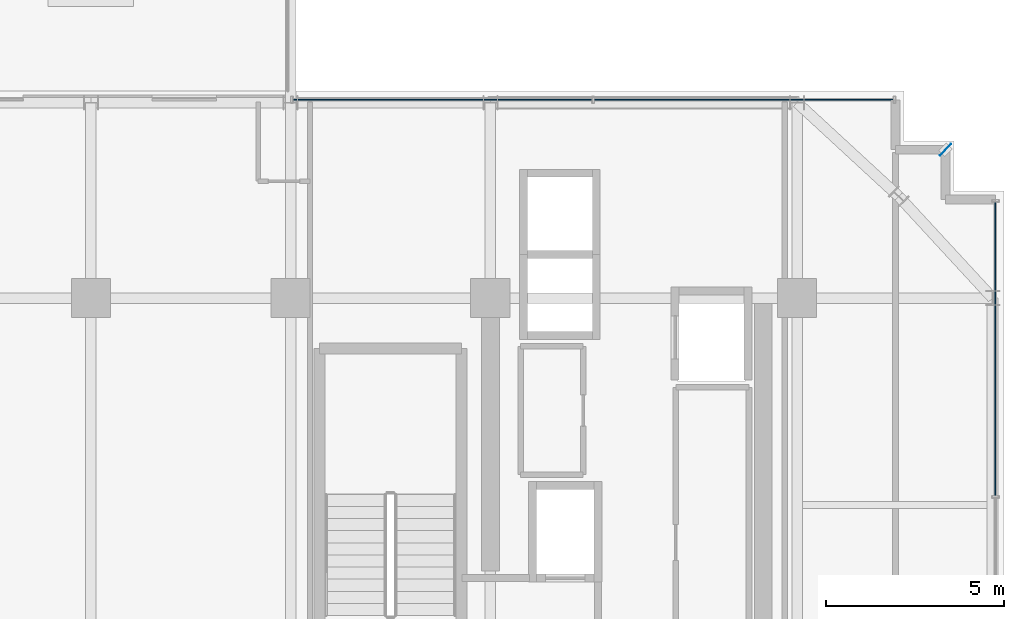
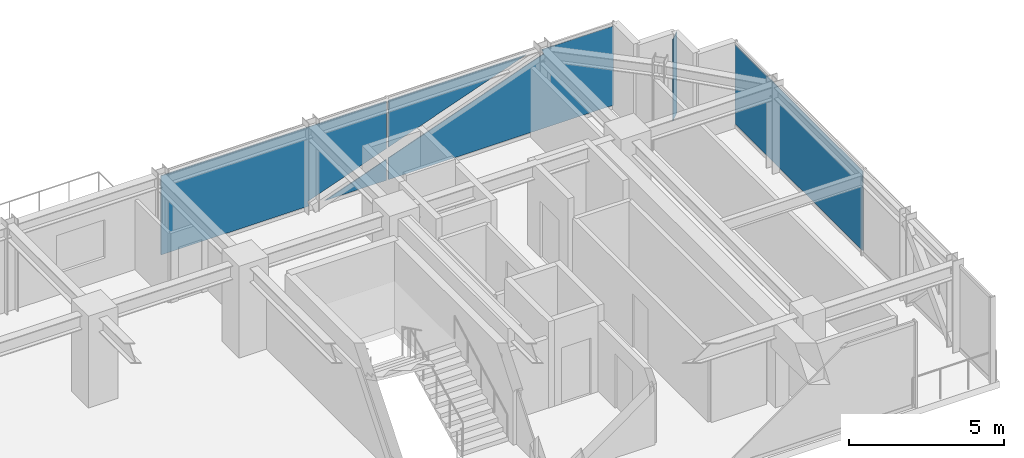
# One storey, part 35 of 43: 4 plates, 2 elements without a shape of their own.
"""IFC4 building model written with IfcOpenShell, lengths in metres."""

from ifc_helpers import new_model, si_unit, direction, frame, origin, origin_2d, place, context, subcontext, project, spatial, polyline, rectangle, outline, extrude, source, transform, mapped, material, layer, layer_set, type_object, element, aggregate, save


model = new_model("IFC4")

# Units and contexts
model_context = context("Model", 3, precision=1e-05, world=origin(), true_north=direction((0.0, 1.0)))
body_context = subcontext(model_context, "Body", "Model", "MODEL_VIEW")
ifc_project = project(units=[si_unit("LENGTHUNIT", "METRE"), si_unit("AREAUNIT", "SQUARE_METRE"), si_unit("VOLUMEUNIT", "CUBIC_METRE"), si_unit("PLANEANGLEUNIT", "RADIAN"), si_unit("MASSUNIT", "GRAM", prefix="KILO")], contexts=[model_context])

# Site, building, storey
site_placement = place(None, origin())
site = spatial("IfcSite", under=ifc_project, at=site_placement, CompositionType="ELEMENT")
building_placement = place(site_placement, origin())
building = spatial("IfcBuilding", under=site, at=building_placement, Name="Nahalor Promenade Grand Hotel", CompositionType="ELEMENT")
storey_placement = place(building_placement, frame((0.0, 0.0, 181.85009765625)))
storey = spatial("IfcBuildingStorey", under=building, at=storey_placement, Name="L46", CompositionType="ELEMENT", Elevation=181.85009765625)

# Curtain wall, plates
ifc_material_1 = material(Name="Anodised Bronze Aluminium EN AW-6063 T6", Category="aluminium")
curtain_wall_type = type_object("IfcCurtainWallType", Name="CW3 Elliptical-Void Collar Unitised Curtain Wall", PredefinedType="USERDEFINED", material=ifc_material_1)
curtain_wall_1_placement = place(storey_placement, origin())
curtain_wall_1 = element("IfcCurtainWall", 1, at=curtain_wall_1_placement, inside=storey, type_object=curtain_wall_type, Name="L46 Curtain Wall CW-L46-N-3", ObjectType="UNITISED_CURTAIN_WALL", PredefinedType="USERDEFINED")
ifc_material_2 = material(Name="Low-E Laminated Solar Glass", Category="glass")
ifc_layer_1 = layer(ifc_material_2, 0.030029296875)
ifc_layer_set_1 = layer_set([ifc_layer_1], Name="Low-E Laminated Solar Glass")
plate_type_1 = type_object("IfcPlateType", Name="CWP3 High-Wind Laminated Bronze IGU 30mm", PredefinedType="CURTAIN_PANEL", material=ifc_layer_set_1)
plate_1_placement = place(storey_placement, frame((7.0576171875, 22.56005859375, 0.1396484375), z_axis=(0.0, 0.0, 1.0), x_axis=(1.0, 0.0, 0.0)))
plate_1 = element("IfcPlate", 2, at=plate_1_placement, type_object=plate_type_1, Name="CW-L46-N-3 Glazing Panel 0-0", PredefinedType="CURTAIN_PANEL", context=body_context, shape_type="SweptSolid", body=[
    extrude(outline(polyline([(-4.1875, 3.110107421875), (-4.1875, 0.0), (1.319580078125, 0.0), (1.25146484375, 0.189697265625), (4.1875, 1.24462890625), (4.1875, 3.110107421875), (-4.1875, 3.110107421875)])), frame((0.0, 0.01513671875, 0.0), z_axis=(0.0, -1.0, 0.0), x_axis=(1.0, 0.0, 0.0)), (0.0, 0.0, 1.0), 0.030029296875),
    extrude(outline(polyline([(1.90625, 0.0), (4.1875, 0.0), (4.1875, 0.819580078125), (1.90625, 0.0)])), frame((0.0, 0.01513671875, 0.0), z_axis=(0.0, -1.0, 0.0), x_axis=(1.0, 0.0, 0.0)), (0.0, 0.0, 1.0), 0.030029296875),
])
plate_2_placement = place(storey_placement, frame((15.50244140625, 22.56005859375, 0.1396484375), z_axis=(0.0, 0.0, 1.0), x_axis=(1.0, 0.0, 0.0)))
plate_2 = element("IfcPlate", 3, at=plate_2_placement, type_object=plate_type_1, Name="CW-L46-N-3 Glazing Panel 1-0", PredefinedType="CURTAIN_PANEL", context=body_context, shape_type="SweptSolid", body=[
    extrude(outline(polyline([(4.1875, 0.0), (4.1875, 3.110107421875), (1.5205078125, 3.110107421875), (1.588623046875, 2.920166015625), (-4.1875, 0.8447265625), (-4.1875, 0.0), (4.1875, 0.0)])), frame((0.0, 0.01513671875, 0.0), z_axis=(0.0, -1.0, 0.0), x_axis=(1.0, 0.0, 0.0)), (0.0, 0.0, 1.0), 0.030029296875),
    extrude(outline(polyline([(0.933837890625, 3.110107421875), (-4.1875, 3.110107421875), (-4.1875, 1.269775390625), (0.933837890625, 3.110107421875)])), frame((0.0, 0.01513671875, 0.0), z_axis=(0.0, -1.0, 0.0), x_axis=(1.0, 0.0, 0.0)), (0.0, 0.0, 1.0), 0.030029296875),
])
aggregate(curtain_wall_1, [plate_1, plate_2])

# Plate
ifc_layer_2 = layer(ifc_material_1, 0.02001953125)
ifc_layer_set_2 = layer_set([ifc_layer_2], Name="Anodised Bronze Aluminium EN AW-6063 T6")
plate_type_2 = type_object("IfcPlateType", Name="Plate-CornerFin-20", PredefinedType="SHEET", material=ifc_layer_set_2)
shared_shape_1 = source(origin(), body_context, "Body", "SweptSolid", [
    extrude(rectangle(XDim=0.449951171875, YDim=0.02001953125, at=origin_2d()), origin(), (0.0, 0.0, 1.0), 3.199951171875),
])
plate_3_placement = place(storey_placement, frame((21.159912109375, 21.159912109375, 0.0), z_axis=(0.0, 0.0, 1.0), x_axis=(0.707106781187, 0.707106781187, 0.0)))
element("IfcPlate", 4, at=plate_3_placement, inside=storey, type_object=plate_type_2, Name="FIN-L46-NE", PredefinedType="SHEET", context=body_context, shape_type="MappedRepresentation", body=[
    mapped(shared_shape_1, transform((0.0, 0.0, 0.0), scale=1.0)),
])

# Curtain wall, plate
curtain_wall_2_placement = place(storey_placement, origin())
curtain_wall_2 = element("IfcCurtainWall", 5, at=curtain_wall_2_placement, inside=storey, type_object=curtain_wall_type, Name="L46 Curtain Wall CW-L46-E-2", ObjectType="UNITISED_CURTAIN_WALL", PredefinedType="USERDEFINED")
shared_shape_2 = source(origin(), body_context, "Body", "SweptSolid", [
    extrude(rectangle(XDim=8.22509765625, YDim=0.030029296875, at=origin_2d()), origin(), (0.0, 0.0, 1.0), 3.110107421875),
])
plate_4_placement = place(storey_placement, frame((22.56005859375, 15.577392578125, 0.1396484375), z_axis=(0.0, 0.0, 1.0), x_axis=(0.0, 1.0, 0.0)))
plate_4 = element("IfcPlate", 6, at=plate_4_placement, type_object=plate_type_1, Name="CW-L46-E-2 Glazing Panel 1-0", PredefinedType="CURTAIN_PANEL", context=body_context, shape_type="MappedRepresentation", body=[
    mapped(shared_shape_2, transform((0.0, 0.0, 0.0), scale=1.0)),
])
aggregate(curtain_wall_2, [plate_4])

save(model, "model.ifc")
